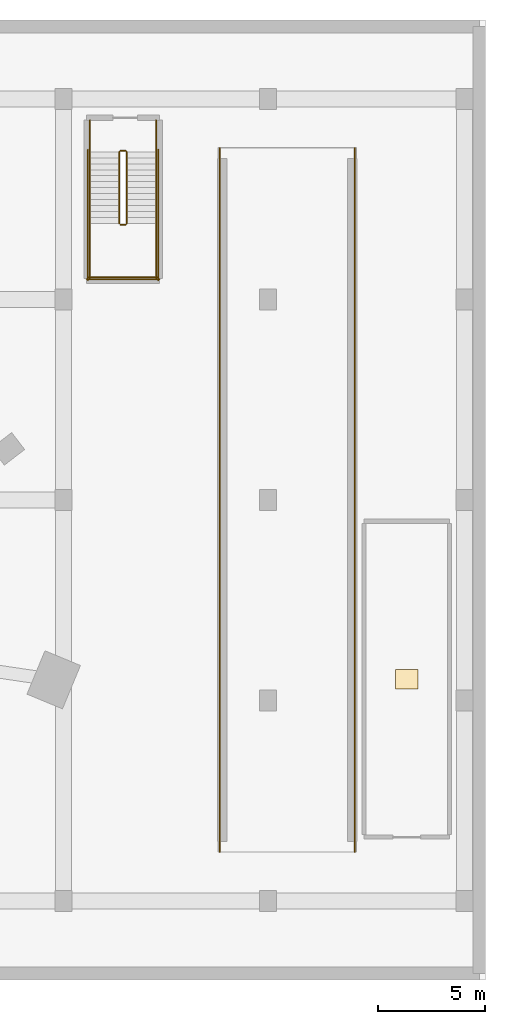
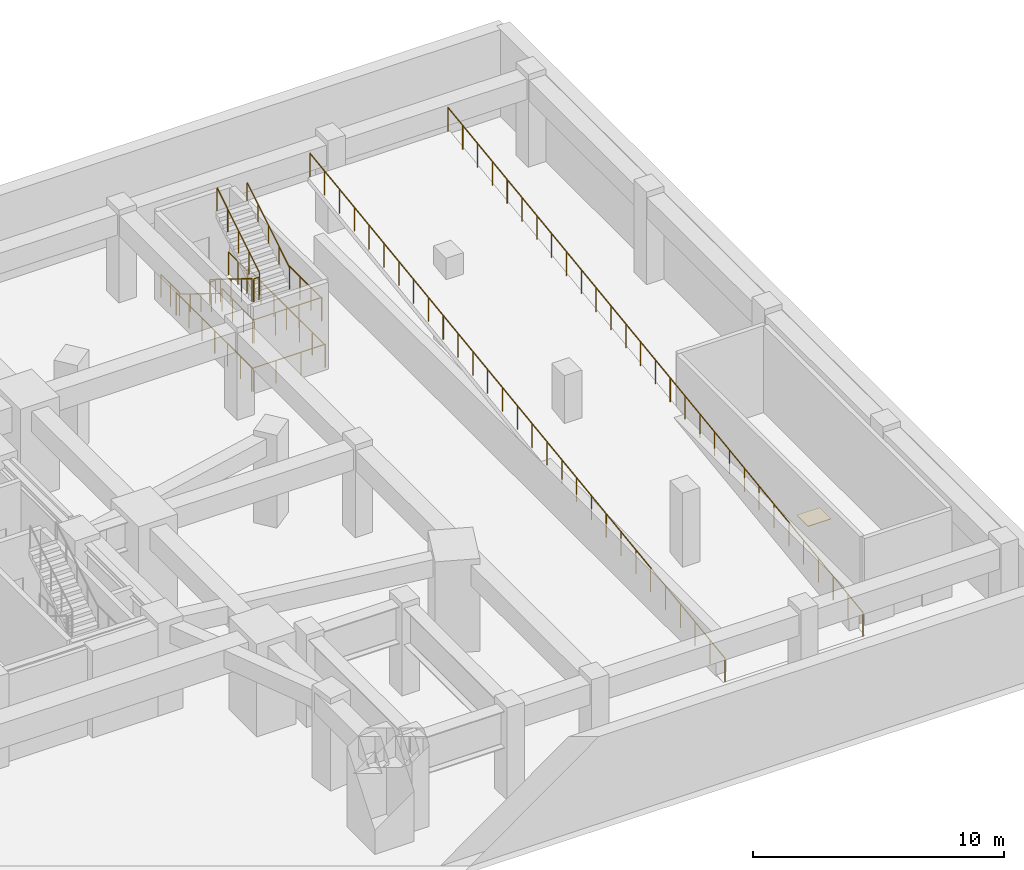
# One storey, part 8 of 9: 16 railings, 1 covering.
"""IFC4 building model written with IfcOpenShell, lengths in metres."""

from ifc_helpers import new_model, si_unit, direction, frame, origin, origin_2d, place, context, subcontext, project, spatial, rectangle, circle, extrude, material, layer, layer_set, type_object, element, save


model = new_model("IFC4")

# Units and contexts
model_context = context("Model", 3, precision=1e-05, world=origin(), true_north=direction((0.0, 1.0)))
body_context = subcontext(model_context, "Body", "Model", "MODEL_VIEW")
ifc_project = project(units=[si_unit("LENGTHUNIT", "METRE"), si_unit("AREAUNIT", "SQUARE_METRE"), si_unit("VOLUMEUNIT", "CUBIC_METRE"), si_unit("PLANEANGLEUNIT", "RADIAN"), si_unit("MASSUNIT", "GRAM", prefix="KILO")], contexts=[model_context])

# Site, building, storey
site_placement = place(None, origin())
site = spatial("IfcSite", under=ifc_project, at=site_placement, CompositionType="ELEMENT")
building_placement = place(site_placement, origin())
building = spatial("IfcBuilding", under=site, at=building_placement, Name="Ndelora Gate Hotel", CompositionType="ELEMENT")
storey_placement = place(building_placement, frame((0.0, 0.0, -4.5)))
storey = spatial("IfcBuildingStorey", under=building, at=storey_placement, Name="B01", CompositionType="ELEMENT", Elevation=-4.5)

# Covering
ifc_material_1 = material(Name="Engineered Highland Oak Parquet", Category="wood")
ifc_layer_1 = layer(ifc_material_1, 0.030029296875)
ifc_layer_set_1 = layer_set([ifc_layer_1], Name="Engineered Highland Oak Parquet")
covering_type = type_object("IfcCoveringType", Name="COV-FLR-PARQ", PredefinedType="FLOORING", material=ifc_layer_set_1)
covering_placement = place(storey_placement, frame((36.89990234375, -8.39990234375, 0.0), z_axis=(0.0, 0.0, 1.0), x_axis=(1.0, 0.0, 0.0)))
element("IfcCovering", 1, at=covering_placement, inside=storey, type_object=covering_type, Name="B01 EV Charging Switchgear and Valet Store Oak Parquet Flooring", PredefinedType="FLOORING", context=body_context, shape_type="SweptSolid", body=[
    extrude(rectangle(XDim=1.050048828125, YDim=0.89990234375, at=origin_2d()), origin(), (0.0, 0.0, 1.0), 0.030029296875),
])

# Railings
ifc_material_2 = material(Name="Galvanized Crash-Rated Steel Guardrail", Category="steel")
ifc_layer_2 = layer(ifc_material_2, 0.080078125)
ifc_layer_set_2 = layer_set([ifc_layer_2], Name="Galvanized Crash-Rated Steel Guardrail")
railing_type_1 = type_object("IfcRailingType", Name="RL-RAMP-GD", PredefinedType="GUARDRAIL", material=ifc_layer_set_2)
railing_1_placement = place(storey_placement, frame((28.1298828125, -16.5, 0.0)))
element("IfcRailing", 2, at=railing_1_placement, inside=storey, type_object=railing_type_1, Name="Vehicle Ramp R1 Crash Guardrail W", PredefinedType="GUARDRAIL", context=body_context, shape_type="SweptSolid", body=[
    extrude(circle(Radius=0.02392578125, at=origin_2d()), frame((0.0, 0.0, 1.15576171875), z_axis=(0.0, 0.990830168044, 0.135113204733), x_axis=(-1.0, 0.0, 0.0)), (0.0, 0.0, 1.0), 33.305419921875),
    extrude(circle(Radius=0.02099609375, at=origin_2d()), origin(), (0.0, 0.0, 1.0), 1.1318359375),
    extrude(circle(Radius=0.02099609375, at=origin_2d()), frame((0.0, 1.178466796875, 0.16064453125)), (0.0, 0.0, 1.0), 1.1318359375),
    extrude(circle(Radius=0.02099609375, at=origin_2d()), frame((0.0, 2.357177734375, 0.321533203125)), (0.0, 0.0, 1.0), 1.1318359375),
    extrude(circle(Radius=0.02099609375, at=origin_2d()), frame((0.0, 3.53564453125, 0.482177734375)), (0.0, 0.0, 1.0), 1.1318359375),
    extrude(circle(Radius=0.02099609375, at=origin_2d()), frame((0.0, 4.71435546875, 0.642822265625)), (0.0, 0.0, 1.0), 1.1318359375),
    extrude(circle(Radius=0.02099609375, at=origin_2d()), frame((0.0, 5.892822265625, 0.803466796875)), (0.0, 0.0, 1.0), 1.1318359375),
    extrude(circle(Radius=0.02099609375, at=origin_2d()), frame((0.0, 7.071533203125, 0.96435546875)), (0.0, 0.0, 1.0), 1.1318359375),
    extrude(circle(Radius=0.02099609375, at=origin_2d()), frame((0.0, 8.25, 1.125)), (0.0, 0.0, 1.0), 1.1318359375),
    extrude(circle(Radius=0.02099609375, at=origin_2d()), frame((0.0, 9.428466796875, 1.28564453125)), (0.0, 0.0, 1.0), 1.1318359375),
    extrude(circle(Radius=0.02099609375, at=origin_2d()), frame((0.0, 10.607177734375, 1.446533203125)), (0.0, 0.0, 1.0), 1.1318359375),
    extrude(circle(Radius=0.02099609375, at=origin_2d()), frame((0.0, 11.78564453125, 1.607177734375)), (0.0, 0.0, 1.0), 1.1318359375),
    extrude(circle(Radius=0.02099609375, at=origin_2d()), frame((0.0, 12.96435546875, 1.767822265625)), (0.0, 0.0, 1.0), 1.1318359375),
    extrude(circle(Radius=0.02099609375, at=origin_2d()), frame((0.0, 14.142822265625, 1.928466796875)), (0.0, 0.0, 1.0), 1.1318359375),
    extrude(circle(Radius=0.02099609375, at=origin_2d()), frame((0.0, 15.321533203125, 2.08935546875)), (0.0, 0.0, 1.0), 1.1318359375),
    extrude(circle(Radius=0.02099609375, at=origin_2d()), frame((0.0, 16.5, 2.25)), (0.0, 0.0, 1.0), 1.1318359375),
    extrude(circle(Radius=0.02099609375, at=origin_2d()), frame((0.0, 17.678466796875, 2.41064453125)), (0.0, 0.0, 1.0), 1.1318359375),
    extrude(circle(Radius=0.02099609375, at=origin_2d()), frame((0.0, 18.857177734375, 2.571533203125)), (0.0, 0.0, 1.0), 1.1318359375),
    extrude(circle(Radius=0.02099609375, at=origin_2d()), frame((0.0, 20.03564453125, 2.732177734375)), (0.0, 0.0, 1.0), 1.1318359375),
    extrude(circle(Radius=0.02099609375, at=origin_2d()), frame((0.0, 21.21435546875, 2.892822265625)), (0.0, 0.0, 1.0), 1.1318359375),
    extrude(circle(Radius=0.02099609375, at=origin_2d()), frame((0.0, 22.392822265625, 3.053466796875)), (0.0, 0.0, 1.0), 1.1318359375),
    extrude(circle(Radius=0.02099609375, at=origin_2d()), frame((0.0, 23.571533203125, 3.21435546875)), (0.0, 0.0, 1.0), 1.1318359375),
    extrude(circle(Radius=0.02099609375, at=origin_2d()), frame((0.0, 24.75, 3.375)), (0.0, 0.0, 1.0), 1.1318359375),
    extrude(circle(Radius=0.02099609375, at=origin_2d()), frame((0.0, 25.928466796875, 3.53564453125)), (0.0, 0.0, 1.0), 1.1318359375),
    extrude(circle(Radius=0.02099609375, at=origin_2d()), frame((0.0, 27.107177734375, 3.696533203125)), (0.0, 0.0, 1.0), 1.1318359375),
    extrude(circle(Radius=0.02099609375, at=origin_2d()), frame((0.0, 28.28564453125, 3.857177734375)), (0.0, 0.0, 1.0), 1.1318359375),
    extrude(circle(Radius=0.02099609375, at=origin_2d()), frame((0.0, 29.46435546875, 4.017822265625)), (0.0, 0.0, 1.0), 1.1318359375),
    extrude(circle(Radius=0.02099609375, at=origin_2d()), frame((0.0, 30.642822265625, 4.178466796875)), (0.0, 0.0, 1.0), 1.1318359375),
    extrude(circle(Radius=0.02099609375, at=origin_2d()), frame((0.0, 31.821533203125, 4.33935546875)), (0.0, 0.0, 1.0), 1.1318359375),
    extrude(circle(Radius=0.02099609375, at=origin_2d()), frame((0.0, 33.0, 4.5)), (0.0, 0.0, 1.0), 1.1318359375),
])
railing_2_placement = place(storey_placement, frame((34.469970703125, -16.5, 0.0)))
element("IfcRailing", 3, at=railing_2_placement, inside=storey, type_object=railing_type_1, Name="Vehicle Ramp R1 Crash Guardrail E", PredefinedType="GUARDRAIL", context=body_context, shape_type="SweptSolid", body=[
    extrude(circle(Radius=0.02392578125, at=origin_2d()), frame((0.0, 0.0, 1.15576171875), z_axis=(0.0, 0.990830168044, 0.135113204733), x_axis=(-1.0, 0.0, 0.0)), (0.0, 0.0, 1.0), 33.305419921875),
    extrude(circle(Radius=0.02099609375, at=origin_2d()), origin(), (0.0, 0.0, 1.0), 1.1318359375),
    extrude(circle(Radius=0.02099609375, at=origin_2d()), frame((0.0, 1.178466796875, 0.16064453125)), (0.0, 0.0, 1.0), 1.1318359375),
    extrude(circle(Radius=0.02099609375, at=origin_2d()), frame((0.0, 2.357177734375, 0.321533203125)), (0.0, 0.0, 1.0), 1.1318359375),
    extrude(circle(Radius=0.02099609375, at=origin_2d()), frame((0.0, 3.53564453125, 0.482177734375)), (0.0, 0.0, 1.0), 1.1318359375),
    extrude(circle(Radius=0.02099609375, at=origin_2d()), frame((0.0, 4.71435546875, 0.642822265625)), (0.0, 0.0, 1.0), 1.1318359375),
    extrude(circle(Radius=0.02099609375, at=origin_2d()), frame((0.0, 5.892822265625, 0.803466796875)), (0.0, 0.0, 1.0), 1.1318359375),
    extrude(circle(Radius=0.02099609375, at=origin_2d()), frame((0.0, 7.071533203125, 0.96435546875)), (0.0, 0.0, 1.0), 1.1318359375),
    extrude(circle(Radius=0.02099609375, at=origin_2d()), frame((0.0, 8.25, 1.125)), (0.0, 0.0, 1.0), 1.1318359375),
    extrude(circle(Radius=0.02099609375, at=origin_2d()), frame((0.0, 9.428466796875, 1.28564453125)), (0.0, 0.0, 1.0), 1.1318359375),
    extrude(circle(Radius=0.02099609375, at=origin_2d()), frame((0.0, 10.607177734375, 1.446533203125)), (0.0, 0.0, 1.0), 1.1318359375),
    extrude(circle(Radius=0.02099609375, at=origin_2d()), frame((0.0, 11.78564453125, 1.607177734375)), (0.0, 0.0, 1.0), 1.1318359375),
    extrude(circle(Radius=0.02099609375, at=origin_2d()), frame((0.0, 12.96435546875, 1.767822265625)), (0.0, 0.0, 1.0), 1.1318359375),
    extrude(circle(Radius=0.02099609375, at=origin_2d()), frame((0.0, 14.142822265625, 1.928466796875)), (0.0, 0.0, 1.0), 1.1318359375),
    extrude(circle(Radius=0.02099609375, at=origin_2d()), frame((0.0, 15.321533203125, 2.08935546875)), (0.0, 0.0, 1.0), 1.1318359375),
    extrude(circle(Radius=0.02099609375, at=origin_2d()), frame((0.0, 16.5, 2.25)), (0.0, 0.0, 1.0), 1.1318359375),
    extrude(circle(Radius=0.02099609375, at=origin_2d()), frame((0.0, 17.678466796875, 2.41064453125)), (0.0, 0.0, 1.0), 1.1318359375),
    extrude(circle(Radius=0.02099609375, at=origin_2d()), frame((0.0, 18.857177734375, 2.571533203125)), (0.0, 0.0, 1.0), 1.1318359375),
    extrude(circle(Radius=0.02099609375, at=origin_2d()), frame((0.0, 20.03564453125, 2.732177734375)), (0.0, 0.0, 1.0), 1.1318359375),
    extrude(circle(Radius=0.02099609375, at=origin_2d()), frame((0.0, 21.21435546875, 2.892822265625)), (0.0, 0.0, 1.0), 1.1318359375),
    extrude(circle(Radius=0.02099609375, at=origin_2d()), frame((0.0, 22.392822265625, 3.053466796875)), (0.0, 0.0, 1.0), 1.1318359375),
    extrude(circle(Radius=0.02099609375, at=origin_2d()), frame((0.0, 23.571533203125, 3.21435546875)), (0.0, 0.0, 1.0), 1.1318359375),
    extrude(circle(Radius=0.02099609375, at=origin_2d()), frame((0.0, 24.75, 3.375)), (0.0, 0.0, 1.0), 1.1318359375),
    extrude(circle(Radius=0.02099609375, at=origin_2d()), frame((0.0, 25.928466796875, 3.53564453125)), (0.0, 0.0, 1.0), 1.1318359375),
    extrude(circle(Radius=0.02099609375, at=origin_2d()), frame((0.0, 27.107177734375, 3.696533203125)), (0.0, 0.0, 1.0), 1.1318359375),
    extrude(circle(Radius=0.02099609375, at=origin_2d()), frame((0.0, 28.28564453125, 3.857177734375)), (0.0, 0.0, 1.0), 1.1318359375),
    extrude(circle(Radius=0.02099609375, at=origin_2d()), frame((0.0, 29.46435546875, 4.017822265625)), (0.0, 0.0, 1.0), 1.1318359375),
    extrude(circle(Radius=0.02099609375, at=origin_2d()), frame((0.0, 30.642822265625, 4.178466796875)), (0.0, 0.0, 1.0), 1.1318359375),
    extrude(circle(Radius=0.02099609375, at=origin_2d()), frame((0.0, 31.821533203125, 4.33935546875)), (0.0, 0.0, 1.0), 1.1318359375),
    extrude(circle(Radius=0.02099609375, at=origin_2d()), frame((0.0, 33.0, 4.5)), (0.0, 0.0, 1.0), 1.1318359375),
])
ifc_material_3 = material(Name="Painted Galvanized Steel Balustrade", Category="steel")
ifc_layer_3 = layer(ifc_material_3, 0.06005859375)
ifc_layer_set_3 = layer_set([ifc_layer_3], Name="Painted Galvanized Steel Balustrade")
railing_type_2 = type_object("IfcRailingType", Name="RL-STAIR-GD", PredefinedType="GUARDRAIL", material=ifc_layer_set_3)
railing_3_placement = place(storey_placement, frame((23.429931640625, 16.320068359375, 0.173095703125)))
element("IfcRailing", 4, at=railing_3_placement, inside=storey, type_object=railing_type_2, Name="B01 ST2 stair guard 1", PredefinedType="GUARDRAIL", context=body_context, shape_type="SweptSolid", body=[
    extrude(circle(Radius=0.02392578125, at=origin_2d()), frame((0.0, 0.0, 1.10595703125), z_axis=(0.0, -0.850623216509, 0.525775754039), x_axis=(1.0, 0.0, 0.0)), (0.0, 0.0, 1.0), 3.9501953125),
    extrude(circle(Radius=0.02099609375, at=origin_2d()), origin(), (0.0, 0.0, 1.0), 1.081787109375),
    extrude(circle(Radius=0.02099609375, at=origin_2d()), frame((0.0, -0.840087890625, 0.519287109375)), (0.0, 0.0, 1.0), 1.081787109375),
    extrude(circle(Radius=0.02099609375, at=origin_2d()), frame((0.0, -1.68017578125, 1.03857421875)), (0.0, 0.0, 1.0), 1.081787109375),
    extrude(circle(Radius=0.02099609375, at=origin_2d()), frame((0.0, -2.52001953125, 1.5576171875)), (0.0, 0.0, 1.0), 1.081787109375),
    extrude(circle(Radius=0.02099609375, at=origin_2d()), frame((0.0, -3.360107421875, 2.076904296875)), (0.0, 0.0, 1.0), 1.081787109375),
])
railing_4_placement = place(storey_placement, frame((23.47998046875, 12.909912109375, 2.25)))
element("IfcRailing", 5, at=railing_4_placement, inside=storey, type_object=railing_type_2, Name="B01 ST2 stair guard 2", PredefinedType="GUARDRAIL", context=body_context, shape_type="SweptSolid", body=[
    extrude(circle(Radius=0.02392578125, at=origin_2d()), frame((0.0, 0.0, 1.10595703125), z_axis=(1.0, 0.0, 0.0), x_axis=(0.0, 1.0, 0.0)), (0.0, 0.0, 1.0), 0.239990234375),
    extrude(circle(Radius=0.02099609375, at=origin_2d()), origin(), (0.0, 0.0, 1.0), 1.081787109375),
    extrude(circle(Radius=0.02099609375, at=origin_2d()), frame((0.239990234375, 0.0, 0.0)), (0.0, 0.0, 1.0), 1.081787109375),
])
for number, where, name in (
    (6, (22.050048828125, 12.9599609375, 2.25), "B01 ST2 stair guard 3"),
    (7, (25.14990234375, 12.9599609375, 2.25), "B01 ST2 stair guard 4"),
):
    element("IfcRailing", number, at=place(storey_placement, frame(where)), inside=storey, type_object=railing_type_2, Name=name, PredefinedType="GUARDRAIL", context=body_context, shape_type="SweptSolid", body=[
        extrude(circle(Radius=0.02392578125, at=origin_2d()), frame((0.0, 0.0, 1.10595703125), z_axis=(0.0, -1.0, 0.0), x_axis=(1.0, 0.0, 0.0)), (0.0, 0.0, 1.0), 2.56005859375),
        extrude(circle(Radius=0.02099609375, at=origin_2d()), origin(), (0.0, 0.0, 1.0), 1.081787109375),
        extrude(circle(Radius=0.02099609375, at=origin_2d()), frame((0.0, -0.853271484375, 0.0)), (0.0, 0.0, 1.0), 1.081787109375),
        extrude(circle(Radius=0.02099609375, at=origin_2d()), frame((0.0, -1.706787109375, 0.0)), (0.0, 0.0, 1.0), 1.081787109375),
        extrude(circle(Radius=0.02099609375, at=origin_2d()), frame((0.0, -2.56005859375, 0.0)), (0.0, 0.0, 1.0), 1.081787109375),
    ])
railing_5_placement = place(storey_placement, frame((22.0, 10.449951171875, 2.25)))
element("IfcRailing", 8, at=railing_5_placement, inside=storey, type_object=railing_type_2, Name="B01 ST2 stair guard 5", PredefinedType="GUARDRAIL", context=body_context, shape_type="SweptSolid", body=[
    extrude(circle(Radius=0.02392578125, at=origin_2d()), frame((0.0, 0.0, 1.10595703125), z_axis=(1.0, 0.0, 0.0), x_axis=(0.0, 1.0, 0.0)), (0.0, 0.0, 1.0), 3.199951171875),
    extrude(circle(Radius=0.02099609375, at=origin_2d()), origin(), (0.0, 0.0, 1.0), 1.081787109375),
    extrude(circle(Radius=0.02099609375, at=origin_2d()), frame((1.066650390625, 0.0, 0.0)), (0.0, 0.0, 1.0), 1.081787109375),
    extrude(circle(Radius=0.02099609375, at=origin_2d()), frame((2.13330078125, 0.0, 0.0)), (0.0, 0.0, 1.0), 1.081787109375),
    extrude(circle(Radius=0.02099609375, at=origin_2d()), frame((3.199951171875, 0.0, 0.0)), (0.0, 0.0, 1.0), 1.081787109375),
])
railing_6_placement = place(storey_placement, frame((23.77001953125, 12.9599609375, 2.423095703125)))
element("IfcRailing", 9, at=railing_6_placement, inside=storey, type_object=railing_type_2, Name="B01 ST2 stair guard 6", PredefinedType="GUARDRAIL", context=body_context, shape_type="SweptSolid", body=[
    extrude(circle(Radius=0.02392578125, at=origin_2d()), frame((0.0, 0.0, 1.10595703125), z_axis=(0.0, 0.850623216509, 0.525775754039), x_axis=(-1.0, 0.0, 0.0)), (0.0, 0.0, 1.0), 3.9501953125),
    extrude(circle(Radius=0.02099609375, at=origin_2d()), origin(), (0.0, 0.0, 1.0), 1.081787109375),
    extrude(circle(Radius=0.02099609375, at=origin_2d()), frame((0.0, 0.840087890625, 0.519287109375)), (0.0, 0.0, 1.0), 1.081787109375),
    extrude(circle(Radius=0.02099609375, at=origin_2d()), frame((0.0, 1.68017578125, 1.03857421875)), (0.0, 0.0, 1.0), 1.081787109375),
    extrude(circle(Radius=0.02099609375, at=origin_2d()), frame((0.0, 2.52001953125, 1.5576171875)), (0.0, 0.0, 1.0), 1.081787109375),
    extrude(circle(Radius=0.02099609375, at=origin_2d()), frame((0.0, 3.360107421875, 2.076904296875)), (0.0, 0.0, 1.0), 1.081787109375),
])
railing_7_placement = place(storey_placement, frame((23.47998046875, 16.3701171875, 0.0)))
element("IfcRailing", 10, at=railing_7_placement, inside=storey, type_object=railing_type_2, Name="B01 ST2 stair guard 7", PredefinedType="GUARDRAIL", context=body_context, shape_type="SweptSolid", body=[
    extrude(circle(Radius=0.02392578125, at=origin_2d()), frame((0.0, 0.0, 1.10595703125), z_axis=(1.0, 0.0, 0.0), x_axis=(0.0, 1.0, 0.0)), (0.0, 0.0, 1.0), 0.239990234375),
    extrude(circle(Radius=0.02099609375, at=origin_2d()), origin(), (0.0, 0.0, 1.0), 1.081787109375),
    extrude(circle(Radius=0.02099609375, at=origin_2d()), frame((0.239990234375, 0.0, 0.0)), (0.0, 0.0, 1.0), 1.081787109375),
])
for number, where, name in (
    (11, (22.050048828125, 17.800048828125, 0.0), "B01 ST2 stair guard 8"),
    (12, (25.14990234375, 17.800048828125, 0.0), "B01 ST2 stair guard 9"),
):
    element("IfcRailing", number, at=place(storey_placement, frame(where)), inside=storey, type_object=railing_type_2, Name=name, PredefinedType="GUARDRAIL", context=body_context, shape_type="SweptSolid", body=[
        extrude(circle(Radius=0.02392578125, at=origin_2d()), frame((0.0, 0.0, 1.10595703125), z_axis=(0.0, -1.0, 0.0), x_axis=(1.0, 0.0, 0.0)), (0.0, 0.0, 1.0), 1.47998046875),
        extrude(circle(Radius=0.02099609375, at=origin_2d()), origin(), (0.0, 0.0, 1.0), 1.081787109375),
        extrude(circle(Radius=0.02099609375, at=origin_2d()), frame((0.0, -0.739990234375, 0.0)), (0.0, 0.0, 1.0), 1.081787109375),
        extrude(circle(Radius=0.02099609375, at=origin_2d()), frame((0.0, -1.47998046875, 0.0)), (0.0, 0.0, 1.0), 1.081787109375),
    ])
for number, where, name in (
    (13, (21.949951171875, 16.419921875, 0.0), "B01 ST2 stair guard 10"),
    (14, (25.25, 16.419921875, 0.0), "B01 ST2 stair guard 11"),
):
    element("IfcRailing", number, at=place(storey_placement, frame(where)), inside=storey, type_object=railing_type_2, Name=name, PredefinedType="GUARDRAIL", context=body_context, shape_type="SweptSolid", body=[
        extrude(circle(Radius=0.02392578125, at=origin_2d()), frame((0.0, 0.0, 1.10595703125), z_axis=(0.0, -1.0, 0.0), x_axis=(1.0, 0.0, 0.0)), (0.0, 0.0, 1.0), 6.119873046875),
        extrude(circle(Radius=0.02099609375, at=origin_2d()), origin(), (0.0, 0.0, 1.0), 1.081787109375),
        extrude(circle(Radius=0.02099609375, at=origin_2d()), frame((0.0, -1.02001953125, 0.0)), (0.0, 0.0, 1.0), 1.081787109375),
        extrude(circle(Radius=0.02099609375, at=origin_2d()), frame((0.0, -2.0400390625, 0.0)), (0.0, 0.0, 1.0), 1.081787109375),
        extrude(circle(Radius=0.02099609375, at=origin_2d()), frame((0.0, -3.06005859375, 0.0)), (0.0, 0.0, 1.0), 1.081787109375),
        extrude(circle(Radius=0.02099609375, at=origin_2d()), frame((0.0, -4.079833984375, 0.0)), (0.0, 0.0, 1.0), 1.081787109375),
        extrude(circle(Radius=0.02099609375, at=origin_2d()), frame((0.0, -5.099853515625, 0.0)), (0.0, 0.0, 1.0), 1.081787109375),
        extrude(circle(Radius=0.02099609375, at=origin_2d()), frame((0.0, -6.119873046875, 0.0)), (0.0, 0.0, 1.0), 1.081787109375),
    ])
railing_8_placement = place(storey_placement, frame((21.89990234375, 10.35009765625, 0.0)))
element("IfcRailing", 15, at=railing_8_placement, inside=storey, type_object=railing_type_2, Name="B01 ST2 stair guard 12", PredefinedType="GUARDRAIL", context=body_context, shape_type="SweptSolid", body=[
    extrude(circle(Radius=0.02392578125, at=origin_2d()), frame((0.0, 0.0, 1.10595703125), z_axis=(1.0, 0.0, 0.0), x_axis=(0.0, 1.0, 0.0)), (0.0, 0.0, 1.0), 3.400146484375),
    extrude(circle(Radius=0.02099609375, at=origin_2d()), origin(), (0.0, 0.0, 1.0), 1.081787109375),
    extrude(circle(Radius=0.02099609375, at=origin_2d()), frame((1.13330078125, 0.0, 0.0)), (0.0, 0.0, 1.0), 1.081787109375),
    extrude(circle(Radius=0.02099609375, at=origin_2d()), frame((2.266845703125, 0.0, 0.0)), (0.0, 0.0, 1.0), 1.081787109375),
    extrude(circle(Radius=0.02099609375, at=origin_2d()), frame((3.400146484375, 0.0, 0.0)), (0.0, 0.0, 1.0), 1.081787109375),
])
ifc_material_4 = material(Name="Brushed Stainless Steel 316", Category="steel")
ifc_layer_4 = layer(ifc_material_4, 0.050048828125)
ifc_layer_set_4 = layer_set([ifc_layer_4], Name="Brushed Stainless Steel 316")
railing_type_3 = type_object("IfcRailingType", Name="RL-STAIR-HR", PredefinedType="HANDRAIL", material=ifc_layer_set_4)
railing_9_placement = place(storey_placement, frame((22.050048828125, 16.320068359375, 0.173095703125)))
element("IfcRailing", 16, at=railing_9_placement, inside=storey, type_object=railing_type_3, Name="B01 ST2 stair handrail 1", PredefinedType="HANDRAIL", context=body_context, shape_type="SweptSolid", body=[
    extrude(circle(Radius=0.02392578125, at=origin_2d()), frame((0.0, 0.0, 0.8759765625), z_axis=(0.0, -0.850623216509, 0.525775754039), x_axis=(1.0, 0.0, 0.0)), (0.0, 0.0, 1.0), 3.9501953125),
    extrude(circle(Radius=0.02099609375, at=origin_2d()), origin(), (0.0, 0.0, 1.0), 0.851806640625),
    extrude(circle(Radius=0.02099609375, at=origin_2d()), frame((0.0, -0.840087890625, 0.519287109375)), (0.0, 0.0, 1.0), 0.851806640625),
    extrude(circle(Radius=0.02099609375, at=origin_2d()), frame((0.0, -1.68017578125, 1.03857421875)), (0.0, 0.0, 1.0), 0.851806640625),
    extrude(circle(Radius=0.02099609375, at=origin_2d()), frame((0.0, -2.52001953125, 1.5576171875)), (0.0, 0.0, 1.0), 0.851806640625),
    extrude(circle(Radius=0.02099609375, at=origin_2d()), frame((0.0, -3.360107421875, 2.076904296875)), (0.0, 0.0, 1.0), 0.851806640625),
])
railing_10_placement = place(storey_placement, frame((25.14990234375, 12.9599609375, 2.423095703125)))
element("IfcRailing", 17, at=railing_10_placement, inside=storey, type_object=railing_type_3, Name="B01 ST2 stair handrail 2", PredefinedType="HANDRAIL", context=body_context, shape_type="SweptSolid", body=[
    extrude(circle(Radius=0.02392578125, at=origin_2d()), frame((0.0, 0.0, 0.8759765625), z_axis=(0.0, 0.850623216509, 0.525775754039), x_axis=(-1.0, 0.0, 0.0)), (0.0, 0.0, 1.0), 3.9501953125),
    extrude(circle(Radius=0.02099609375, at=origin_2d()), origin(), (0.0, 0.0, 1.0), 0.851806640625),
    extrude(circle(Radius=0.02099609375, at=origin_2d()), frame((0.0, 0.840087890625, 0.519287109375)), (0.0, 0.0, 1.0), 0.851806640625),
    extrude(circle(Radius=0.02099609375, at=origin_2d()), frame((0.0, 1.68017578125, 1.03857421875)), (0.0, 0.0, 1.0), 0.851806640625),
    extrude(circle(Radius=0.02099609375, at=origin_2d()), frame((0.0, 2.52001953125, 1.5576171875)), (0.0, 0.0, 1.0), 0.851806640625),
    extrude(circle(Radius=0.02099609375, at=origin_2d()), frame((0.0, 3.360107421875, 2.076904296875)), (0.0, 0.0, 1.0), 0.851806640625),
])

save(model, "model.ifc")
